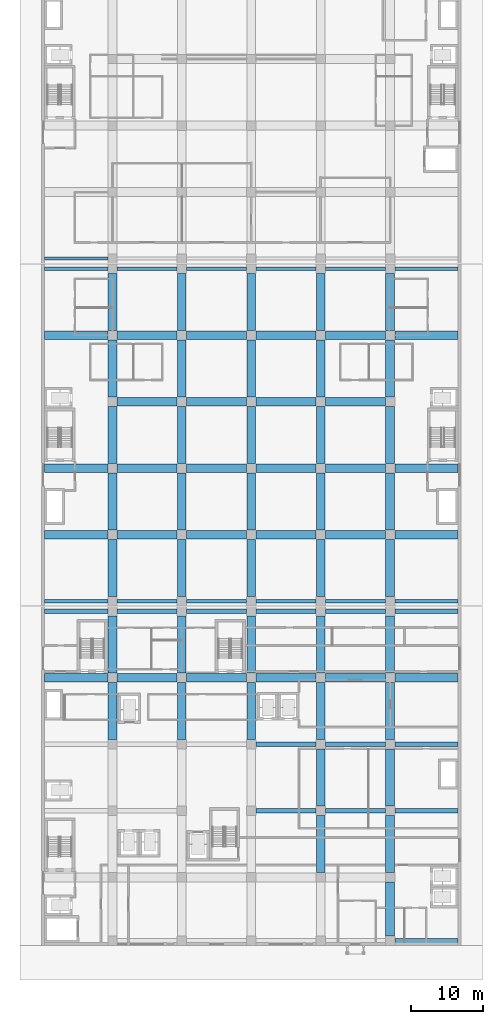
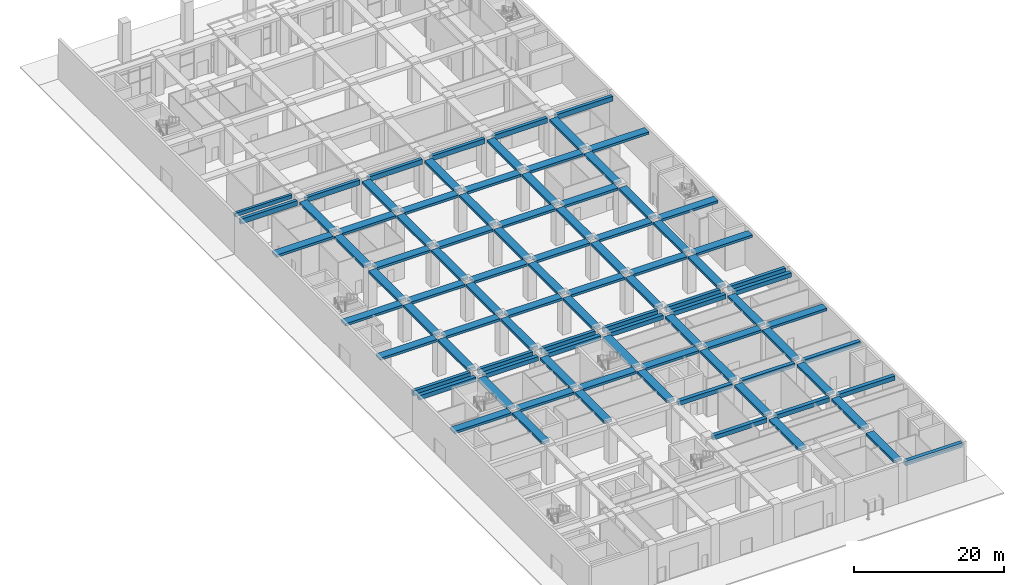
# One storey, part 3 of 45: 94 beams.
"""IFC4 building model written with IfcOpenShell, lengths in metres."""

from ifc_helpers import new_model, si_unit, direction, frame, origin, origin_2d, place, context, subcontext, project, spatial, rectangle, extrude, material, material_profile, profile_set, type_object, element, save


model = new_model("IFC4")

# Units and contexts
model_context = context("Model", 3, precision=1e-05, world=origin(), true_north=direction((0.0, 1.0)))
body_context = subcontext(model_context, "Body", "Model", "MODEL_VIEW")
ifc_project = project(units=[si_unit("LENGTHUNIT", "METRE"), si_unit("AREAUNIT", "SQUARE_METRE"), si_unit("VOLUMEUNIT", "CUBIC_METRE"), si_unit("PLANEANGLEUNIT", "RADIAN"), si_unit("MASSUNIT", "GRAM", prefix="KILO")], contexts=[model_context])

# Site, building, storey
site_placement = place(None, origin())
site = spatial("IfcSite", under=ifc_project, at=site_placement, CompositionType="ELEMENT")
building_placement = place(site_placement, origin())
building = spatial("IfcBuilding", under=site, at=building_placement, Name="Nzadi Deep Aquarium and Research Tower", CompositionType="ELEMENT")
storey_placement = place(building_placement, origin())
storey = spatial("IfcBuildingStorey", under=building, at=storey_placement, Name="G", CompositionType="ELEMENT", Elevation=0.0)

# Beams
ifc_material_1 = material(Name="Concrete C35/45", Category="concrete")
ifc_material_profile_1 = material_profile(ifc_material_1, rectangle(XDim=1.199951171875, YDim=0.39990234375, at=origin_2d()))
ifc_profile_set_1 = profile_set([ifc_material_profile_1], Name="Concrete C35/45")
beam_type_1 = type_object("IfcBeamType", Name="RC 1200x400", PredefinedType="BEAM", material=ifc_profile_set_1)
beam_1_placement = place(storey_placement, frame((0.199951171875, 36.800048828125, 5.949951171875), z_axis=(1.0, 0.0, 0.0), x_axis=(0.0, 1.0, 0.0)))
element("IfcBeam", 1, at=beam_1_placement, inside=storey, type_object=beam_type_1, Name="B-Z1-G-L5-1", PredefinedType="BEAM", context=body_context, shape_type="SweptSolid", body=[
    extrude(rectangle(XDim=1.199951171875, YDim=0.39990234375, at=origin_2d()), origin(), (0.0, 0.0, 1.0), 8.75),
])
beam_2_placement = place(storey_placement, frame((10.25, 36.800048828125, 5.949951171875), z_axis=(1.0, 0.0, 0.0), x_axis=(0.0, 1.0, 0.0)))
element("IfcBeam", 2, at=beam_2_placement, inside=storey, type_object=beam_type_1, Name="B-Z1-G-L5-2", PredefinedType="BEAM", context=body_context, shape_type="SweptSolid", body=[
    extrude(rectangle(XDim=1.199951171875, YDim=0.39990234375, at=origin_2d()), origin(), (0.0, 0.0, 1.0), 8.300048828125),
])
beam_3_placement = place(storey_placement, frame((19.85009765625, 36.800048828125, 5.949951171875), z_axis=(1.0, 0.0, 0.0), x_axis=(0.0, 1.0, 0.0)))
element("IfcBeam", 3, at=beam_3_placement, inside=storey, type_object=beam_type_1, Name="B-Z1-G-L5-3", PredefinedType="BEAM", context=body_context, shape_type="SweptSolid", body=[
    extrude(rectangle(XDim=1.199951171875, YDim=0.39990234375, at=origin_2d()), origin(), (0.0, 0.0, 1.0), 8.2998046875),
])
for number, where, z_axis, x_axis, name in (
    (4, (29.449951171875, 36.800048828125, 5.949951171875), (1.0, 0.0, 0.0), (0.0, 1.0, 0.0), "B-Z1-G-L5-4"),
    (5, (39.050048828125, 36.800048828125, 5.949951171875), (1.0, 0.0, 0.0), (0.0, 1.0, 0.0), "B-Z1-G-L5-5"),
):
    element("IfcBeam", number, at=place(storey_placement, frame(where, z_axis=z_axis, x_axis=x_axis)), inside=storey, type_object=beam_type_1, Name=name, PredefinedType="BEAM", context=body_context, shape_type="SweptSolid", body=[
        extrude(rectangle(XDim=1.199951171875, YDim=0.39990234375, at=origin_2d()), origin(), (0.0, 0.0, 1.0), 8.300048828125),
    ])
for number, where, z_axis, x_axis, name in (
    (6, (48.64990234375, 36.800048828125, 5.949951171875), (1.0, 0.0, 0.0), (0.0, 1.0, 0.0), "B-Z1-G-L5-6"),
    (7, (0.199951171875, 56.60009765625, 5.85009765625), (1.0, 0.0, 0.0), (0.0, 1.0, 0.0), "B-Z2-G-L8-1"),
):
    element("IfcBeam", number, at=place(storey_placement, frame(where, z_axis=z_axis, x_axis=x_axis)), inside=storey, type_object=beam_type_1, Name=name, PredefinedType="BEAM", context=body_context, shape_type="SweptSolid", body=[
        extrude(rectangle(XDim=1.199951171875, YDim=0.39990234375, at=origin_2d()), origin(), (0.0, 0.0, 1.0), 8.75),
    ])
beam_4_placement = place(storey_placement, frame((10.25, 56.60009765625, 5.85009765625), z_axis=(1.0, 0.0, 0.0), x_axis=(0.0, 1.0, 0.0)))
element("IfcBeam", 8, at=beam_4_placement, inside=storey, type_object=beam_type_1, Name="B-Z2-G-L8-2", PredefinedType="BEAM", context=body_context, shape_type="SweptSolid", body=[
    extrude(rectangle(XDim=1.199951171875, YDim=0.39990234375, at=origin_2d()), origin(), (0.0, 0.0, 1.0), 8.300048828125),
])
beam_5_placement = place(storey_placement, frame((19.85009765625, 56.60009765625, 5.85009765625), z_axis=(1.0, 0.0, 0.0), x_axis=(0.0, 1.0, 0.0)))
element("IfcBeam", 9, at=beam_5_placement, inside=storey, type_object=beam_type_1, Name="B-Z2-G-L8-3", PredefinedType="BEAM", context=body_context, shape_type="SweptSolid", body=[
    extrude(rectangle(XDim=1.199951171875, YDim=0.39990234375, at=origin_2d()), origin(), (0.0, 0.0, 1.0), 8.2998046875),
])
for number, where, z_axis, x_axis, name in (
    (10, (29.449951171875, 56.60009765625, 5.85009765625), (1.0, 0.0, 0.0), (0.0, 1.0, 0.0), "B-Z2-G-L8-4"),
    (11, (39.050048828125, 56.60009765625, 5.85009765625), (1.0, 0.0, 0.0), (0.0, 1.0, 0.0), "B-Z2-G-L8-5"),
):
    element("IfcBeam", number, at=place(storey_placement, frame(where, z_axis=z_axis, x_axis=x_axis)), inside=storey, type_object=beam_type_1, Name=name, PredefinedType="BEAM", context=body_context, shape_type="SweptSolid", body=[
        extrude(rectangle(XDim=1.199951171875, YDim=0.39990234375, at=origin_2d()), origin(), (0.0, 0.0, 1.0), 8.300048828125),
    ])
for number, where, z_axis, x_axis, name in (
    (12, (48.64990234375, 56.60009765625, 5.85009765625), (1.0, 0.0, 0.0), (0.0, 1.0, 0.0), "B-Z2-G-L8-6"),
    (13, (0.199951171875, 65.800048828125, 5.85009765625), (1.0, 0.0, 0.0), (0.0, 1.0, 0.0), "B-Z2-G-L9-1"),
):
    element("IfcBeam", number, at=place(storey_placement, frame(where, z_axis=z_axis, x_axis=x_axis)), inside=storey, type_object=beam_type_1, Name=name, PredefinedType="BEAM", context=body_context, shape_type="SweptSolid", body=[
        extrude(rectangle(XDim=1.199951171875, YDim=0.39990234375, at=origin_2d()), origin(), (0.0, 0.0, 1.0), 8.75),
    ])
beam_6_placement = place(storey_placement, frame((10.25, 65.800048828125, 5.85009765625), z_axis=(1.0, 0.0, 0.0), x_axis=(0.0, 1.0, 0.0)))
element("IfcBeam", 14, at=beam_6_placement, inside=storey, type_object=beam_type_1, Name="B-Z2-G-L9-2", PredefinedType="BEAM", context=body_context, shape_type="SweptSolid", body=[
    extrude(rectangle(XDim=1.199951171875, YDim=0.39990234375, at=origin_2d()), origin(), (0.0, 0.0, 1.0), 8.300048828125),
])
beam_7_placement = place(storey_placement, frame((19.85009765625, 65.800048828125, 5.85009765625), z_axis=(1.0, 0.0, 0.0), x_axis=(0.0, 1.0, 0.0)))
element("IfcBeam", 15, at=beam_7_placement, inside=storey, type_object=beam_type_1, Name="B-Z2-G-L9-3", PredefinedType="BEAM", context=body_context, shape_type="SweptSolid", body=[
    extrude(rectangle(XDim=1.199951171875, YDim=0.39990234375, at=origin_2d()), origin(), (0.0, 0.0, 1.0), 8.2998046875),
])
for number, where, z_axis, x_axis, name in (
    (16, (29.449951171875, 65.800048828125, 5.85009765625), (1.0, 0.0, 0.0), (0.0, 1.0, 0.0), "B-Z2-G-L9-4"),
    (17, (39.050048828125, 65.800048828125, 5.85009765625), (1.0, 0.0, 0.0), (0.0, 1.0, 0.0), "B-Z2-G-L9-5"),
):
    element("IfcBeam", number, at=place(storey_placement, frame(where, z_axis=z_axis, x_axis=x_axis)), inside=storey, type_object=beam_type_1, Name=name, PredefinedType="BEAM", context=body_context, shape_type="SweptSolid", body=[
        extrude(rectangle(XDim=1.199951171875, YDim=0.39990234375, at=origin_2d()), origin(), (0.0, 0.0, 1.0), 8.300048828125),
    ])
beam_8_placement = place(storey_placement, frame((48.64990234375, 65.800048828125, 5.85009765625), z_axis=(1.0, 0.0, 0.0), x_axis=(0.0, 1.0, 0.0)))
element("IfcBeam", 18, at=beam_8_placement, inside=storey, type_object=beam_type_1, Name="B-Z2-G-L9-6", PredefinedType="BEAM", context=body_context, shape_type="SweptSolid", body=[
    extrude(rectangle(XDim=1.199951171875, YDim=0.39990234375, at=origin_2d()), origin(), (0.0, 0.0, 1.0), 8.75),
])
beam_9_placement = place(storey_placement, frame((10.25, 75.0, 5.85009765625), z_axis=(1.0, 0.0, 0.0), x_axis=(0.0, 1.0, 0.0)))
element("IfcBeam", 19, at=beam_9_placement, inside=storey, type_object=beam_type_1, Name="B-Z2-G-L10-2", PredefinedType="BEAM", context=body_context, shape_type="SweptSolid", body=[
    extrude(rectangle(XDim=1.199951171875, YDim=0.39990234375, at=origin_2d()), origin(), (0.0, 0.0, 1.0), 8.300048828125),
])
beam_10_placement = place(storey_placement, frame((19.85009765625, 75.0, 5.85009765625), z_axis=(1.0, 0.0, 0.0), x_axis=(0.0, 1.0, 0.0)))
element("IfcBeam", 20, at=beam_10_placement, inside=storey, type_object=beam_type_1, Name="B-Z2-G-L10-3", PredefinedType="BEAM", context=body_context, shape_type="SweptSolid", body=[
    extrude(rectangle(XDim=1.199951171875, YDim=0.39990234375, at=origin_2d()), origin(), (0.0, 0.0, 1.0), 8.2998046875),
])
for number, where, z_axis, x_axis, name in (
    (21, (29.449951171875, 75.0, 5.85009765625), (1.0, 0.0, 0.0), (0.0, 1.0, 0.0), "B-Z2-G-L10-4"),
    (22, (39.050048828125, 75.0, 5.85009765625), (1.0, 0.0, 0.0), (0.0, 1.0, 0.0), "B-Z2-G-L10-5"),
):
    element("IfcBeam", number, at=place(storey_placement, frame(where, z_axis=z_axis, x_axis=x_axis)), inside=storey, type_object=beam_type_1, Name=name, PredefinedType="BEAM", context=body_context, shape_type="SweptSolid", body=[
        extrude(rectangle(XDim=1.199951171875, YDim=0.39990234375, at=origin_2d()), origin(), (0.0, 0.0, 1.0), 8.300048828125),
    ])
beam_11_placement = place(storey_placement, frame((0.199951171875, 84.199951171875, 5.85009765625), z_axis=(1.0, 0.0, 0.0), x_axis=(0.0, 1.0, 0.0)))
element("IfcBeam", 23, at=beam_11_placement, inside=storey, type_object=beam_type_1, Name="B-Z2-G-L11-1", PredefinedType="BEAM", context=body_context, shape_type="SweptSolid", body=[
    extrude(rectangle(XDim=1.199951171875, YDim=0.39990234375, at=origin_2d()), origin(), (0.0, 0.0, 1.0), 8.75),
])
beam_12_placement = place(storey_placement, frame((10.25, 84.199951171875, 5.85009765625), z_axis=(1.0, 0.0, 0.0), x_axis=(0.0, 1.0, 0.0)))
element("IfcBeam", 24, at=beam_12_placement, inside=storey, type_object=beam_type_1, Name="B-Z2-G-L11-2", PredefinedType="BEAM", context=body_context, shape_type="SweptSolid", body=[
    extrude(rectangle(XDim=1.199951171875, YDim=0.39990234375, at=origin_2d()), origin(), (0.0, 0.0, 1.0), 8.300048828125),
])
beam_13_placement = place(storey_placement, frame((19.85009765625, 84.199951171875, 5.85009765625), z_axis=(1.0, 0.0, 0.0), x_axis=(0.0, 1.0, 0.0)))
element("IfcBeam", 25, at=beam_13_placement, inside=storey, type_object=beam_type_1, Name="B-Z2-G-L11-3", PredefinedType="BEAM", context=body_context, shape_type="SweptSolid", body=[
    extrude(rectangle(XDim=1.199951171875, YDim=0.39990234375, at=origin_2d()), origin(), (0.0, 0.0, 1.0), 8.2998046875),
])
for number, where, z_axis, x_axis, name in (
    (26, (29.449951171875, 84.199951171875, 5.85009765625), (1.0, 0.0, 0.0), (0.0, 1.0, 0.0), "B-Z2-G-L11-4"),
    (27, (39.050048828125, 84.199951171875, 5.85009765625), (1.0, 0.0, 0.0), (0.0, 1.0, 0.0), "B-Z2-G-L11-5"),
):
    element("IfcBeam", number, at=place(storey_placement, frame(where, z_axis=z_axis, x_axis=x_axis)), inside=storey, type_object=beam_type_1, Name=name, PredefinedType="BEAM", context=body_context, shape_type="SweptSolid", body=[
        extrude(rectangle(XDim=1.199951171875, YDim=0.39990234375, at=origin_2d()), origin(), (0.0, 0.0, 1.0), 8.300048828125),
    ])
beam_14_placement = place(storey_placement, frame((48.64990234375, 84.199951171875, 5.85009765625), z_axis=(1.0, 0.0, 0.0), x_axis=(0.0, 1.0, 0.0)))
element("IfcBeam", 28, at=beam_14_placement, inside=storey, type_object=beam_type_1, Name="B-Z2-G-L11-6", PredefinedType="BEAM", context=body_context, shape_type="SweptSolid", body=[
    extrude(rectangle(XDim=1.199951171875, YDim=0.39990234375, at=origin_2d()), origin(), (0.0, 0.0, 1.0), 8.75),
])
beam_15_placement = place(storey_placement, frame((9.60009765625, 28.25, 5.949951171875), z_axis=(0.0, 1.0, 0.0), x_axis=(-1.0, 0.0, 0.0)))
element("IfcBeam", 29, at=beam_15_placement, inside=storey, type_object=beam_type_1, Name="B-Z1-G-CB-4-1", PredefinedType="BEAM", context=body_context, shape_type="SweptSolid", body=[
    extrude(rectangle(XDim=1.199951171875, YDim=0.39990234375, at=origin_2d()), origin(), (0.0, 0.0, 1.0), 7.89990234375),
])
beam_16_placement = place(storey_placement, frame((9.60009765625, 37.449951171875, 5.949951171875), z_axis=(0.0, 1.0, 0.0), x_axis=(-1.0, 0.0, 0.0)))
element("IfcBeam", 30, at=beam_16_placement, inside=storey, type_object=beam_type_1, Name="B-Z1-G-CB-5-1", PredefinedType="BEAM", context=body_context, shape_type="SweptSolid", body=[
    extrude(rectangle(XDim=1.199951171875, YDim=0.39990234375, at=origin_2d()), origin(), (0.0, 0.0, 1.0), 7.900146484375),
])
beam_17_placement = place(storey_placement, frame((19.199951171875, 28.25, 5.949951171875), z_axis=(0.0, 1.0, 0.0), x_axis=(-1.0, 0.0, 0.0)))
element("IfcBeam", 31, at=beam_17_placement, inside=storey, type_object=beam_type_1, Name="B-Z1-G-CC-4-1", PredefinedType="BEAM", context=body_context, shape_type="SweptSolid", body=[
    extrude(rectangle(XDim=1.199951171875, YDim=0.39990234375, at=origin_2d()), origin(), (0.0, 0.0, 1.0), 7.89990234375),
])
beam_18_placement = place(storey_placement, frame((19.199951171875, 37.449951171875, 5.949951171875), z_axis=(0.0, 1.0, 0.0), x_axis=(-1.0, 0.0, 0.0)))
element("IfcBeam", 32, at=beam_18_placement, inside=storey, type_object=beam_type_1, Name="B-Z1-G-CC-5-1", PredefinedType="BEAM", context=body_context, shape_type="SweptSolid", body=[
    extrude(rectangle(XDim=1.199951171875, YDim=0.39990234375, at=origin_2d()), origin(), (0.0, 0.0, 1.0), 7.900146484375),
])
beam_19_placement = place(storey_placement, frame((28.800048828125, 28.25, 5.949951171875), z_axis=(0.0, 1.0, 0.0), x_axis=(-1.0, 0.0, 0.0)))
element("IfcBeam", 33, at=beam_19_placement, inside=storey, type_object=beam_type_1, Name="B-Z1-G-CD-4-1", PredefinedType="BEAM", context=body_context, shape_type="SweptSolid", body=[
    extrude(rectangle(XDim=1.199951171875, YDim=0.39990234375, at=origin_2d()), origin(), (0.0, 0.0, 1.0), 7.89990234375),
])
beam_20_placement = place(storey_placement, frame((28.800048828125, 37.449951171875, 5.949951171875), z_axis=(0.0, 1.0, 0.0), x_axis=(-1.0, 0.0, 0.0)))
element("IfcBeam", 34, at=beam_20_placement, inside=storey, type_object=beam_type_1, Name="B-Z1-G-CD-5-1", PredefinedType="BEAM", context=body_context, shape_type="SweptSolid", body=[
    extrude(rectangle(XDim=1.199951171875, YDim=0.39990234375, at=origin_2d()), origin(), (0.0, 0.0, 1.0), 7.900146484375),
])
for number, where, z_axis, x_axis, name in (
    (35, (38.39990234375, 9.85009765625, 5.949951171875), (0.0, 1.0, 0.0), (-1.0, 0.0, 0.0), "B-Z1-G-CE-2-1"),
    (36, (38.39990234375, 19.050048828125, 5.949951171875), (0.0, 1.0, 0.0), (-1.0, 0.0, 0.0), "B-Z1-G-CE-3-1"),
    (37, (38.39990234375, 28.25, 5.949951171875), (0.0, 1.0, 0.0), (-1.0, 0.0, 0.0), "B-Z1-G-CE-4-1"),
):
    element("IfcBeam", number, at=place(storey_placement, frame(where, z_axis=z_axis, x_axis=x_axis)), inside=storey, type_object=beam_type_1, Name=name, PredefinedType="BEAM", context=body_context, shape_type="SweptSolid", body=[
        extrude(rectangle(XDim=1.199951171875, YDim=0.39990234375, at=origin_2d()), origin(), (0.0, 0.0, 1.0), 7.89990234375),
    ])
beam_21_placement = place(storey_placement, frame((38.39990234375, 37.449951171875, 5.949951171875), z_axis=(0.0, 1.0, 0.0), x_axis=(-1.0, 0.0, 0.0)))
element("IfcBeam", 38, at=beam_21_placement, inside=storey, type_object=beam_type_1, Name="B-Z1-G-CE-5-1", PredefinedType="BEAM", context=body_context, shape_type="SweptSolid", body=[
    extrude(rectangle(XDim=1.199951171875, YDim=0.39990234375, at=origin_2d()), origin(), (0.0, 0.0, 1.0), 7.900146484375),
])
beam_22_placement = place(storey_placement, frame((48.0, 1.10009765625, 5.949951171875), z_axis=(0.0, 1.0, 0.0), x_axis=(-1.0, 0.0, 0.0)))
element("IfcBeam", 39, at=beam_22_placement, inside=storey, type_object=beam_type_1, Name="B-Z1-G-CF-1-1", PredefinedType="BEAM", context=body_context, shape_type="SweptSolid", body=[
    extrude(rectangle(XDim=1.199951171875, YDim=0.39990234375, at=origin_2d()), origin(), (0.0, 0.0, 1.0), 7.449951171875),
])
for number, where, z_axis, x_axis, name in (
    (40, (48.0, 9.85009765625, 5.949951171875), (0.0, 1.0, 0.0), (-1.0, 0.0, 0.0), "B-Z1-G-CF-2-1"),
    (41, (48.0, 19.050048828125, 5.949951171875), (0.0, 1.0, 0.0), (-1.0, 0.0, 0.0), "B-Z1-G-CF-3-1"),
    (42, (48.0, 28.25, 5.949951171875), (0.0, 1.0, 0.0), (-1.0, 0.0, 0.0), "B-Z1-G-CF-4-1"),
):
    element("IfcBeam", number, at=place(storey_placement, frame(where, z_axis=z_axis, x_axis=x_axis)), inside=storey, type_object=beam_type_1, Name=name, PredefinedType="BEAM", context=body_context, shape_type="SweptSolid", body=[
        extrude(rectangle(XDim=1.199951171875, YDim=0.39990234375, at=origin_2d()), origin(), (0.0, 0.0, 1.0), 7.89990234375),
    ])
beam_23_placement = place(storey_placement, frame((48.0, 37.449951171875, 5.949951171875), z_axis=(0.0, 1.0, 0.0), x_axis=(-1.0, 0.0, 0.0)))
element("IfcBeam", 43, at=beam_23_placement, inside=storey, type_object=beam_type_1, Name="B-Z1-G-CF-5-1", PredefinedType="BEAM", context=body_context, shape_type="SweptSolid", body=[
    extrude(rectangle(XDim=1.199951171875, YDim=0.39990234375, at=origin_2d()), origin(), (0.0, 0.0, 1.0), 7.900146484375),
])
for number, where, z_axis, x_axis, name in (
    (44, (9.60009765625, 48.050048828125, 5.85009765625), (0.0, 1.0, 0.0), (-1.0, 0.0, 0.0), "B-Z2-G-CB-1-7"),
    (45, (9.60009765625, 57.25, 5.85009765625), (0.0, 1.0, 0.0), (-1.0, 0.0, 0.0), "B-Z2-G-CB-2-7"),
):
    element("IfcBeam", number, at=place(storey_placement, frame(where, z_axis=z_axis, x_axis=x_axis)), inside=storey, type_object=beam_type_1, Name=name, PredefinedType="BEAM", context=body_context, shape_type="SweptSolid", body=[
        extrude(rectangle(XDim=1.199951171875, YDim=0.39990234375, at=origin_2d()), origin(), (0.0, 0.0, 1.0), 7.89990234375),
    ])
for number, where, z_axis, x_axis, name in (
    (46, (9.60009765625, 66.449951171875, 5.85009765625), (0.0, 1.0, 0.0), (-1.0, 0.0, 0.0), "B-Z2-G-CB-3-7"),
    (47, (9.60009765625, 75.64990234375, 5.85009765625), (0.0, 1.0, 0.0), (-1.0, 0.0, 0.0), "B-Z2-G-CB-4-7"),
):
    element("IfcBeam", number, at=place(storey_placement, frame(where, z_axis=z_axis, x_axis=x_axis)), inside=storey, type_object=beam_type_1, Name=name, PredefinedType="BEAM", context=body_context, shape_type="SweptSolid", body=[
        extrude(rectangle(XDim=1.199951171875, YDim=0.39990234375, at=origin_2d()), origin(), (0.0, 0.0, 1.0), 7.900146484375),
    ])
for number, where, z_axis, x_axis, name in (
    (48, (9.60009765625, 84.85009765625, 5.85009765625), (0.0, 1.0, 0.0), (-1.0, 0.0, 0.0), "B-Z2-G-CB-5-7"),
    (49, (19.199951171875, 48.050048828125, 5.85009765625), (0.0, 1.0, 0.0), (-1.0, 0.0, 0.0), "B-Z2-G-CC-1-7"),
    (50, (19.199951171875, 57.25, 5.85009765625), (0.0, 1.0, 0.0), (-1.0, 0.0, 0.0), "B-Z2-G-CC-2-7"),
):
    element("IfcBeam", number, at=place(storey_placement, frame(where, z_axis=z_axis, x_axis=x_axis)), inside=storey, type_object=beam_type_1, Name=name, PredefinedType="BEAM", context=body_context, shape_type="SweptSolid", body=[
        extrude(rectangle(XDim=1.199951171875, YDim=0.39990234375, at=origin_2d()), origin(), (0.0, 0.0, 1.0), 7.89990234375),
    ])
for number, where, z_axis, x_axis, name in (
    (51, (19.199951171875, 66.449951171875, 5.85009765625), (0.0, 1.0, 0.0), (-1.0, 0.0, 0.0), "B-Z2-G-CC-3-7"),
    (52, (19.199951171875, 75.64990234375, 5.85009765625), (0.0, 1.0, 0.0), (-1.0, 0.0, 0.0), "B-Z2-G-CC-4-7"),
):
    element("IfcBeam", number, at=place(storey_placement, frame(where, z_axis=z_axis, x_axis=x_axis)), inside=storey, type_object=beam_type_1, Name=name, PredefinedType="BEAM", context=body_context, shape_type="SweptSolid", body=[
        extrude(rectangle(XDim=1.199951171875, YDim=0.39990234375, at=origin_2d()), origin(), (0.0, 0.0, 1.0), 7.900146484375),
    ])
for number, where, z_axis, x_axis, name in (
    (53, (19.199951171875, 84.85009765625, 5.85009765625), (0.0, 1.0, 0.0), (-1.0, 0.0, 0.0), "B-Z2-G-CC-5-7"),
    (54, (28.800048828125, 48.050048828125, 5.85009765625), (0.0, 1.0, 0.0), (-1.0, 0.0, 0.0), "B-Z2-G-CD-1-7"),
    (55, (28.800048828125, 57.25, 5.85009765625), (0.0, 1.0, 0.0), (-1.0, 0.0, 0.0), "B-Z2-G-CD-2-7"),
):
    element("IfcBeam", number, at=place(storey_placement, frame(where, z_axis=z_axis, x_axis=x_axis)), inside=storey, type_object=beam_type_1, Name=name, PredefinedType="BEAM", context=body_context, shape_type="SweptSolid", body=[
        extrude(rectangle(XDim=1.199951171875, YDim=0.39990234375, at=origin_2d()), origin(), (0.0, 0.0, 1.0), 7.89990234375),
    ])
for number, where, z_axis, x_axis, name in (
    (56, (28.800048828125, 66.449951171875, 5.85009765625), (0.0, 1.0, 0.0), (-1.0, 0.0, 0.0), "B-Z2-G-CD-3-7"),
    (57, (28.800048828125, 75.64990234375, 5.85009765625), (0.0, 1.0, 0.0), (-1.0, 0.0, 0.0), "B-Z2-G-CD-4-7"),
):
    element("IfcBeam", number, at=place(storey_placement, frame(where, z_axis=z_axis, x_axis=x_axis)), inside=storey, type_object=beam_type_1, Name=name, PredefinedType="BEAM", context=body_context, shape_type="SweptSolid", body=[
        extrude(rectangle(XDim=1.199951171875, YDim=0.39990234375, at=origin_2d()), origin(), (0.0, 0.0, 1.0), 7.900146484375),
    ])
for number, where, z_axis, x_axis, name in (
    (58, (28.800048828125, 84.85009765625, 5.85009765625), (0.0, 1.0, 0.0), (-1.0, 0.0, 0.0), "B-Z2-G-CD-5-7"),
    (59, (38.39990234375, 48.050048828125, 5.85009765625), (0.0, 1.0, 0.0), (-1.0, 0.0, 0.0), "B-Z2-G-CE-1-7"),
    (60, (38.39990234375, 57.25, 5.85009765625), (0.0, 1.0, 0.0), (-1.0, 0.0, 0.0), "B-Z2-G-CE-2-7"),
):
    element("IfcBeam", number, at=place(storey_placement, frame(where, z_axis=z_axis, x_axis=x_axis)), inside=storey, type_object=beam_type_1, Name=name, PredefinedType="BEAM", context=body_context, shape_type="SweptSolid", body=[
        extrude(rectangle(XDim=1.199951171875, YDim=0.39990234375, at=origin_2d()), origin(), (0.0, 0.0, 1.0), 7.89990234375),
    ])
for number, where, z_axis, x_axis, name in (
    (61, (38.39990234375, 66.449951171875, 5.85009765625), (0.0, 1.0, 0.0), (-1.0, 0.0, 0.0), "B-Z2-G-CE-3-7"),
    (62, (38.39990234375, 75.64990234375, 5.85009765625), (0.0, 1.0, 0.0), (-1.0, 0.0, 0.0), "B-Z2-G-CE-4-7"),
):
    element("IfcBeam", number, at=place(storey_placement, frame(where, z_axis=z_axis, x_axis=x_axis)), inside=storey, type_object=beam_type_1, Name=name, PredefinedType="BEAM", context=body_context, shape_type="SweptSolid", body=[
        extrude(rectangle(XDim=1.199951171875, YDim=0.39990234375, at=origin_2d()), origin(), (0.0, 0.0, 1.0), 7.900146484375),
    ])
for number, where, z_axis, x_axis, name in (
    (63, (38.39990234375, 84.85009765625, 5.85009765625), (0.0, 1.0, 0.0), (-1.0, 0.0, 0.0), "B-Z2-G-CE-5-7"),
    (64, (48.0, 48.050048828125, 5.85009765625), (0.0, 1.0, 0.0), (-1.0, 0.0, 0.0), "B-Z2-G-CF-1-7"),
    (65, (48.0, 57.25, 5.85009765625), (0.0, 1.0, 0.0), (-1.0, 0.0, 0.0), "B-Z2-G-CF-2-7"),
):
    element("IfcBeam", number, at=place(storey_placement, frame(where, z_axis=z_axis, x_axis=x_axis)), inside=storey, type_object=beam_type_1, Name=name, PredefinedType="BEAM", context=body_context, shape_type="SweptSolid", body=[
        extrude(rectangle(XDim=1.199951171875, YDim=0.39990234375, at=origin_2d()), origin(), (0.0, 0.0, 1.0), 7.89990234375),
    ])
for number, where, z_axis, x_axis, name in (
    (66, (48.0, 66.449951171875, 5.85009765625), (0.0, 1.0, 0.0), (-1.0, 0.0, 0.0), "B-Z2-G-CF-3-7"),
    (67, (48.0, 75.64990234375, 5.85009765625), (0.0, 1.0, 0.0), (-1.0, 0.0, 0.0), "B-Z2-G-CF-4-7"),
):
    element("IfcBeam", number, at=place(storey_placement, frame(where, z_axis=z_axis, x_axis=x_axis)), inside=storey, type_object=beam_type_1, Name=name, PredefinedType="BEAM", context=body_context, shape_type="SweptSolid", body=[
        extrude(rectangle(XDim=1.199951171875, YDim=0.39990234375, at=origin_2d()), origin(), (0.0, 0.0, 1.0), 7.900146484375),
    ])
beam_24_placement = place(storey_placement, frame((48.0, 84.85009765625, 5.85009765625), z_axis=(0.0, 1.0, 0.0), x_axis=(-1.0, 0.0, 0.0)))
element("IfcBeam", 68, at=beam_24_placement, inside=storey, type_object=beam_type_1, Name="B-Z2-G-CF-5-7", PredefinedType="BEAM", context=body_context, shape_type="SweptSolid", body=[
    extrude(rectangle(XDim=1.199951171875, YDim=0.39990234375, at=origin_2d()), origin(), (0.0, 0.0, 1.0), 7.89990234375),
])
ifc_material_2 = material(Name="Concrete C35/45", Category="concrete")
ifc_material_profile_2 = material_profile(ifc_material_2, rectangle(XDim=0.39990234375, YDim=0.60009765625, at=origin_2d()))
ifc_profile_set_2 = profile_set([ifc_material_profile_2], Name="Concrete C35/45")
beam_type_2 = type_object("IfcBeamType", Name="RC 400x600", PredefinedType="BEAM", material=ifc_profile_set_2)
beam_25_placement = place(storey_placement, frame((0.199951171875, 94.800048828125, 5.85009765625), z_axis=(1.0, 0.0, 0.0), x_axis=(0.0, 1.0, 0.0)))
element("IfcBeam", 69, at=beam_25_placement, inside=storey, type_object=beam_type_2, Name="B-Z3-G-L13-1", PredefinedType="BEAM", context=body_context, shape_type="SweptSolid", body=[
    extrude(rectangle(XDim=0.39990234375, YDim=0.60009765625, at=origin_2d()), origin(), (0.0, 0.0, 1.0), 8.75),
])
ifc_material_3 = material(Name="Concrete C40/50", Category="concrete")
ifc_material_profile_3 = material_profile(ifc_material_3, rectangle(XDim=0.5, YDim=0.800048828125, at=origin_2d()))
ifc_profile_set_3 = profile_set([ifc_material_profile_3], Name="Concrete C40/50")
beam_type_3 = type_object("IfcBeamType", Name="RC 500x800", PredefinedType="BEAM", material=ifc_profile_set_3)
beam_26_placement = place(storey_placement, frame((0.199951171875, 47.39990234375, 5.64990234375), z_axis=(1.0, 0.0, 0.0), x_axis=(0.0, 1.0, 0.0)))
element("IfcBeam", 70, at=beam_26_placement, inside=storey, type_object=beam_type_3, Name="B-Z2-G-L7-1", PredefinedType="BEAM", context=body_context, shape_type="SweptSolid", body=[
    extrude(rectangle(XDim=0.5, YDim=0.800048828125, at=origin_2d()), origin(), (0.0, 0.0, 1.0), 8.75),
])
beam_27_placement = place(storey_placement, frame((10.25, 47.39990234375, 5.64990234375), z_axis=(1.0, 0.0, 0.0), x_axis=(0.0, 1.0, 0.0)))
element("IfcBeam", 71, at=beam_27_placement, inside=storey, type_object=beam_type_3, Name="B-Z2-G-L7-2", PredefinedType="BEAM", context=body_context, shape_type="SweptSolid", body=[
    extrude(rectangle(XDim=0.5, YDim=0.800048828125, at=origin_2d()), origin(), (0.0, 0.0, 1.0), 8.300048828125),
])
beam_28_placement = place(storey_placement, frame((19.85009765625, 47.39990234375, 5.64990234375), z_axis=(1.0, 0.0, 0.0), x_axis=(0.0, 1.0, 0.0)))
element("IfcBeam", 72, at=beam_28_placement, inside=storey, type_object=beam_type_3, Name="B-Z2-G-L7-3", PredefinedType="BEAM", context=body_context, shape_type="SweptSolid", body=[
    extrude(rectangle(XDim=0.5, YDim=0.800048828125, at=origin_2d()), origin(), (0.0, 0.0, 1.0), 8.2998046875),
])
for number, where, z_axis, x_axis, name in (
    (73, (29.449951171875, 47.39990234375, 5.64990234375), (1.0, 0.0, 0.0), (0.0, 1.0, 0.0), "B-Z2-G-L7-4"),
    (74, (39.050048828125, 47.39990234375, 5.64990234375), (1.0, 0.0, 0.0), (0.0, 1.0, 0.0), "B-Z2-G-L7-5"),
):
    element("IfcBeam", number, at=place(storey_placement, frame(where, z_axis=z_axis, x_axis=x_axis)), inside=storey, type_object=beam_type_3, Name=name, PredefinedType="BEAM", context=body_context, shape_type="SweptSolid", body=[
        extrude(rectangle(XDim=0.5, YDim=0.800048828125, at=origin_2d()), origin(), (0.0, 0.0, 1.0), 8.300048828125),
    ])
for number, where, z_axis, x_axis, name in (
    (75, (48.64990234375, 47.39990234375, 5.64990234375), (1.0, 0.0, 0.0), (0.0, 1.0, 0.0), "B-Z2-G-L7-6"),
    (76, (0.199951171875, 93.39990234375, 5.64990234375), (1.0, 0.0, 0.0), (0.0, 1.0, 0.0), "B-Z2-G-L12-1"),
):
    element("IfcBeam", number, at=place(storey_placement, frame(where, z_axis=z_axis, x_axis=x_axis)), inside=storey, type_object=beam_type_3, Name=name, PredefinedType="BEAM", context=body_context, shape_type="SweptSolid", body=[
        extrude(rectangle(XDim=0.5, YDim=0.800048828125, at=origin_2d()), origin(), (0.0, 0.0, 1.0), 8.75),
    ])
beam_29_placement = place(storey_placement, frame((10.25, 93.39990234375, 5.64990234375), z_axis=(1.0, 0.0, 0.0), x_axis=(0.0, 1.0, 0.0)))
element("IfcBeam", 77, at=beam_29_placement, inside=storey, type_object=beam_type_3, Name="B-Z2-G-L12-2", PredefinedType="BEAM", context=body_context, shape_type="SweptSolid", body=[
    extrude(rectangle(XDim=0.5, YDim=0.800048828125, at=origin_2d()), origin(), (0.0, 0.0, 1.0), 8.300048828125),
])
beam_30_placement = place(storey_placement, frame((19.85009765625, 93.39990234375, 5.64990234375), z_axis=(1.0, 0.0, 0.0), x_axis=(0.0, 1.0, 0.0)))
element("IfcBeam", 78, at=beam_30_placement, inside=storey, type_object=beam_type_3, Name="B-Z2-G-L12-3", PredefinedType="BEAM", context=body_context, shape_type="SweptSolid", body=[
    extrude(rectangle(XDim=0.5, YDim=0.800048828125, at=origin_2d()), origin(), (0.0, 0.0, 1.0), 8.2998046875),
])
for number, where, z_axis, x_axis, name in (
    (79, (29.449951171875, 93.39990234375, 5.64990234375), (1.0, 0.0, 0.0), (0.0, 1.0, 0.0), "B-Z2-G-L12-4"),
    (80, (39.050048828125, 93.39990234375, 5.64990234375), (1.0, 0.0, 0.0), (0.0, 1.0, 0.0), "B-Z2-G-L12-5"),
):
    element("IfcBeam", number, at=place(storey_placement, frame(where, z_axis=z_axis, x_axis=x_axis)), inside=storey, type_object=beam_type_3, Name=name, PredefinedType="BEAM", context=body_context, shape_type="SweptSolid", body=[
        extrude(rectangle(XDim=0.5, YDim=0.800048828125, at=origin_2d()), origin(), (0.0, 0.0, 1.0), 8.300048828125),
    ])
beam_31_placement = place(storey_placement, frame((48.64990234375, 93.39990234375, 5.64990234375), z_axis=(1.0, 0.0, 0.0), x_axis=(0.0, 1.0, 0.0)))
element("IfcBeam", 81, at=beam_31_placement, inside=storey, type_object=beam_type_3, Name="B-Z2-G-L12-6", PredefinedType="BEAM", context=body_context, shape_type="SweptSolid", body=[
    extrude(rectangle(XDim=0.5, YDim=0.800048828125, at=origin_2d()), origin(), (0.0, 0.0, 1.0), 8.75),
])
ifc_material_4 = material(Name="Concrete C35/45", Category="concrete")
ifc_material_profile_4 = material_profile(ifc_material_4, rectangle(XDim=0.60009765625, YDim=0.699951171875, at=origin_2d()))
ifc_profile_set_4 = profile_set([ifc_material_profile_4], Name="Concrete C35/45")
beam_type_4 = type_object("IfcBeamType", Name="RC 600x700", PredefinedType="BEAM", material=ifc_profile_set_4)
beam_32_placement = place(storey_placement, frame((48.64990234375, 0.449951171875, 5.800048828125), z_axis=(1.0, 0.0, 0.0), x_axis=(0.0, 1.0, 0.0)))
element("IfcBeam", 82, at=beam_32_placement, inside=storey, type_object=beam_type_4, Name="B-Z1-G-L1-6", PredefinedType="BEAM", context=body_context, shape_type="SweptSolid", body=[
    extrude(rectangle(XDim=0.60009765625, YDim=0.699951171875, at=origin_2d()), origin(), (0.0, 0.0, 1.0), 8.75),
])
for number, where, z_axis, x_axis, name in (
    (83, (29.449951171875, 18.39990234375, 5.800048828125), (1.0, 0.0, 0.0), (0.0, 1.0, 0.0), "B-Z1-G-L3-4"),
    (84, (39.050048828125, 18.39990234375, 5.800048828125), (1.0, 0.0, 0.0), (0.0, 1.0, 0.0), "B-Z1-G-L3-5"),
):
    element("IfcBeam", number, at=place(storey_placement, frame(where, z_axis=z_axis, x_axis=x_axis)), inside=storey, type_object=beam_type_4, Name=name, PredefinedType="BEAM", context=body_context, shape_type="SweptSolid", body=[
        extrude(rectangle(XDim=0.60009765625, YDim=0.699951171875, at=origin_2d()), origin(), (0.0, 0.0, 1.0), 8.300048828125),
    ])
beam_33_placement = place(storey_placement, frame((48.64990234375, 18.39990234375, 5.800048828125), z_axis=(1.0, 0.0, 0.0), x_axis=(0.0, 1.0, 0.0)))
element("IfcBeam", 85, at=beam_33_placement, inside=storey, type_object=beam_type_4, Name="B-Z1-G-L3-6", PredefinedType="BEAM", context=body_context, shape_type="SweptSolid", body=[
    extrude(rectangle(XDim=0.60009765625, YDim=0.699951171875, at=origin_2d()), origin(), (0.0, 0.0, 1.0), 8.75),
])
for number, where, z_axis, x_axis, name in (
    (86, (29.449951171875, 27.60009765625, 5.800048828125), (1.0, 0.0, 0.0), (0.0, 1.0, 0.0), "B-Z1-G-L4-4"),
    (87, (39.050048828125, 27.60009765625, 5.800048828125), (1.0, 0.0, 0.0), (0.0, 1.0, 0.0), "B-Z1-G-L4-5"),
):
    element("IfcBeam", number, at=place(storey_placement, frame(where, z_axis=z_axis, x_axis=x_axis)), inside=storey, type_object=beam_type_4, Name=name, PredefinedType="BEAM", context=body_context, shape_type="SweptSolid", body=[
        extrude(rectangle(XDim=0.60009765625, YDim=0.699951171875, at=origin_2d()), origin(), (0.0, 0.0, 1.0), 8.300048828125),
    ])
for number, where, z_axis, x_axis, name in (
    (88, (48.64990234375, 27.60009765625, 5.800048828125), (1.0, 0.0, 0.0), (0.0, 1.0, 0.0), "B-Z1-G-L4-6"),
    (89, (0.199951171875, 46.0, 5.800048828125), (1.0, 0.0, 0.0), (0.0, 1.0, 0.0), "B-Z1-G-L6-1"),
):
    element("IfcBeam", number, at=place(storey_placement, frame(where, z_axis=z_axis, x_axis=x_axis)), inside=storey, type_object=beam_type_4, Name=name, PredefinedType="BEAM", context=body_context, shape_type="SweptSolid", body=[
        extrude(rectangle(XDim=0.60009765625, YDim=0.699951171875, at=origin_2d()), origin(), (0.0, 0.0, 1.0), 8.75),
    ])
beam_34_placement = place(storey_placement, frame((10.25, 46.0, 5.800048828125), z_axis=(1.0, 0.0, 0.0), x_axis=(0.0, 1.0, 0.0)))
element("IfcBeam", 90, at=beam_34_placement, inside=storey, type_object=beam_type_4, Name="B-Z1-G-L6-2", PredefinedType="BEAM", context=body_context, shape_type="SweptSolid", body=[
    extrude(rectangle(XDim=0.60009765625, YDim=0.699951171875, at=origin_2d()), origin(), (0.0, 0.0, 1.0), 8.300048828125),
])
beam_35_placement = place(storey_placement, frame((19.85009765625, 46.0, 5.800048828125), z_axis=(1.0, 0.0, 0.0), x_axis=(0.0, 1.0, 0.0)))
element("IfcBeam", 91, at=beam_35_placement, inside=storey, type_object=beam_type_4, Name="B-Z1-G-L6-3", PredefinedType="BEAM", context=body_context, shape_type="SweptSolid", body=[
    extrude(rectangle(XDim=0.60009765625, YDim=0.699951171875, at=origin_2d()), origin(), (0.0, 0.0, 1.0), 8.2998046875),
])
for number, where, z_axis, x_axis, name in (
    (92, (29.449951171875, 46.0, 5.800048828125), (1.0, 0.0, 0.0), (0.0, 1.0, 0.0), "B-Z1-G-L6-4"),
    (93, (39.050048828125, 46.0, 5.800048828125), (1.0, 0.0, 0.0), (0.0, 1.0, 0.0), "B-Z1-G-L6-5"),
):
    element("IfcBeam", number, at=place(storey_placement, frame(where, z_axis=z_axis, x_axis=x_axis)), inside=storey, type_object=beam_type_4, Name=name, PredefinedType="BEAM", context=body_context, shape_type="SweptSolid", body=[
        extrude(rectangle(XDim=0.60009765625, YDim=0.699951171875, at=origin_2d()), origin(), (0.0, 0.0, 1.0), 8.300048828125),
    ])
beam_36_placement = place(storey_placement, frame((48.64990234375, 46.0, 5.800048828125), z_axis=(1.0, 0.0, 0.0), x_axis=(0.0, 1.0, 0.0)))
element("IfcBeam", 94, at=beam_36_placement, inside=storey, type_object=beam_type_4, Name="B-Z1-G-L6-6", PredefinedType="BEAM", context=body_context, shape_type="SweptSolid", body=[
    extrude(rectangle(XDim=0.60009765625, YDim=0.699951171875, at=origin_2d()), origin(), (0.0, 0.0, 1.0), 8.75),
])

save(model, "model.ifc")
